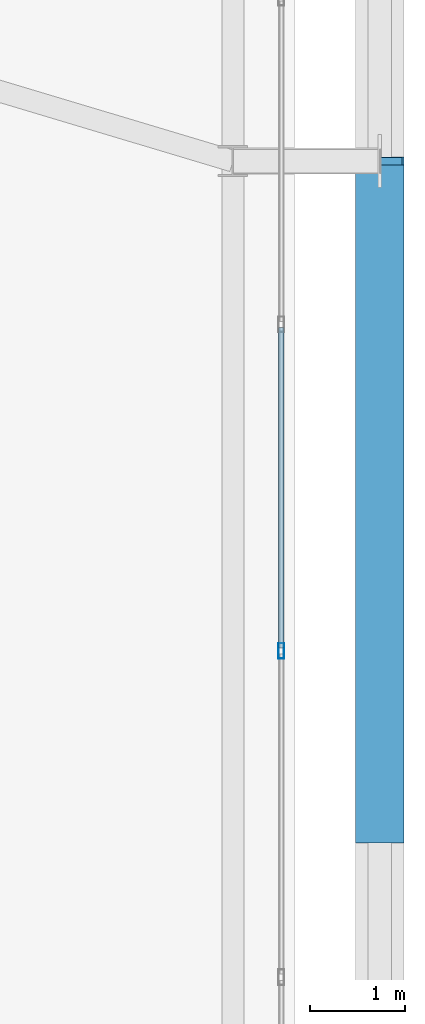
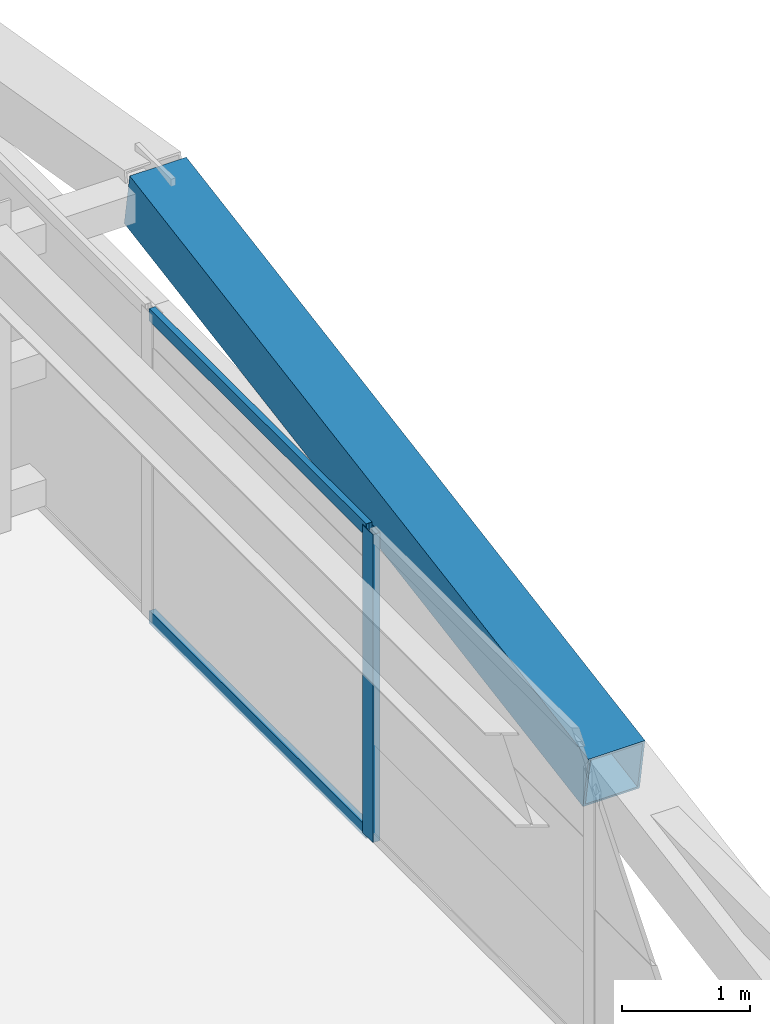
# One storey, part 28 of 58: 4 members, 1 element without a shape of its own.
"""IFC4 building model written with IfcOpenShell, lengths in metres."""

import ifcopenshell
import ifcopenshell.guid

model = None  # the IFC model being written
_history = None  # IfcOwnerHistory: only IFC2X3 demands one
_inside = {}  # id of a spatial element -> (the spatial element, [elements in it])
_under = {}  # id of a project, library or spatial element -> (it, [spatial elements below it])
_declared = {}  # id of a project -> (the project, [libraries it declares])
_typed = {}  # id of a type object -> (the type object, [elements of that type])
_made_of = {}  # id of a material, layer set ... -> (it, [elements and type objects made of it])


def new_model(schema):
    """Start an empty IFC model of exactly this schema.

    Asked for "IFC4X3", IfcOpenShell would pick the latest addendum, in which some entities
    have other attributes; the version numbers below select the first issue.
    IFC2X3 requires an IfcOwnerHistory on every rooted entity: one is made here for all.
    """
    global model, _history
    if schema == "IFC4X3":
        model = ifcopenshell.file(schema_version=(4, 3, 0, 0))
    else:
        model = ifcopenshell.file(schema=schema)
    _inside.clear()
    _under.clear()
    _declared.clear()
    _typed.clear()
    _made_of.clear()
    _history = None
    if model.schema == "IFC2X3":
        org = make("IfcOrganization", Name="unknown")
        user = make(
            "IfcPersonAndOrganization",
            ThePerson=make("IfcPerson", FamilyName="unknown"),
            TheOrganization=org,
        )
        app = make(
            "IfcApplication",
            ApplicationDeveloper=org,
            Version="unknown",
            ApplicationFullName="unknown",
            ApplicationIdentifier="unknown",
        )
        _history = make(
            "IfcOwnerHistory",
            OwningUser=user,
            OwningApplication=app,
            ChangeAction="ADDED",
            CreationDate=0,
        )
    return model


def make(cls, **values):
    """One entity of the class cls with the attributes given. An attribute that is None is left unset."""
    return model.create_entity(
        cls, **{name: value for name, value in values.items() if value is not None}
    )


def rooted(cls, **values):
    """An entity with a GlobalId (a new one), such as an element, a storey or a relation."""
    return make(cls, GlobalId=ifcopenshell.guid.new(), OwnerHistory=_history, **values)


def si_unit(unit_type, name, prefix=None):
    """IfcSIUnit, for example si_unit("LENGTHUNIT", "METRE", prefix="MILLI")."""
    return make("IfcSIUnit", UnitType=unit_type, Prefix=prefix, Name=name)


def assignment(units):
    """IfcUnitAssignment: the units of a project."""
    return None if units is None else make("IfcUnitAssignment", Units=units)


def point(xyz):
    """IfcCartesianPoint."""
    return None if xyz is None else make("IfcCartesianPoint", Coordinates=xyz)


def direction(xyz):
    """IfcDirection."""
    return None if xyz is None else make("IfcDirection", DirectionRatios=xyz)


def frame(location, z_axis=None, x_axis=None):
    """IfcAxis2Placement3D, a coordinate frame: its origin and axes. An axis left out is left unset."""
    return make(
        "IfcAxis2Placement3D",
        Location=point(location),
        Axis=direction(z_axis),
        RefDirection=direction(x_axis),
    )


def frame_2d(location, x_axis=None):
    """IfcAxis2Placement2D, a coordinate frame in the plane: its origin and x axis."""
    return make(
        "IfcAxis2Placement2D", Location=point(location), RefDirection=direction(x_axis)
    )


def origin():
    """The frame at (0, 0, 0) with its axes left unset."""
    return frame((0.0, 0.0, 0.0))


def origin_2d():
    """The frame at (0, 0) in the plane with its x axis left unset."""
    return frame_2d((0.0, 0.0))


def place(relative_to, where):
    """IfcLocalPlacement: puts the frame where relative to a parent placement (None: the world)."""
    return make(
        "IfcLocalPlacement", PlacementRelTo=relative_to, RelativePlacement=where
    )


def context(
    kind, dimensions, precision=None, world=None, true_north=None, identifier=None
):
    """IfcGeometricRepresentationContext, for example the 3D "Model" context."""
    return make(
        "IfcGeometricRepresentationContext",
        ContextIdentifier=identifier,
        ContextType=kind,
        CoordinateSpaceDimension=dimensions,
        Precision=precision,
        WorldCoordinateSystem=world,
        TrueNorth=true_north,
    )


def subcontext(parent, identifier, kind, view, scale=None):
    """IfcGeometricRepresentationSubContext, for example "Body" below "Model"."""
    return make(
        "IfcGeometricRepresentationSubContext",
        ContextIdentifier=identifier,
        ContextType=kind,
        ParentContext=parent,
        TargetScale=scale,
        TargetView=view,
    )


def project(units=None, contexts=None):
    """IfcProject with its units and contexts."""
    return rooted(
        "IfcProject",
        Name="project",
        RepresentationContexts=contexts,
        UnitsInContext=assignment(units),
    )


def spatial(cls, under=None, at=None, **own):
    """A site, building, storey or space (cls), placed at a placement, below another one or the project."""
    s = rooted(cls, ObjectPlacement=at, **own)
    if under is not None:
        _under.setdefault(under.id(), (under, []))[1].append(s)
    return s


def profile(cls, at=None, kind="AREA", **sizes):
    """A parametric profile (cls). Its sizes go by their IFC names, for example OverallWidth=200.0."""
    return make(cls, ProfileType=kind, Position=at, **sizes)


def hollow_rectangle(**sizes):
    """IfcRectangleHollowProfileDef."""
    return profile("IfcRectangleHollowProfileDef", **sizes)


def extrude(swept, where, along, depth):
    """IfcExtrudedAreaSolid: the profile swept, set in the frame where, extruded along a direction by depth."""
    return make(
        "IfcExtrudedAreaSolid",
        SweptArea=swept,
        Position=where,
        ExtrudedDirection=direction(along),
        Depth=depth,
    )


def shape(context_of_items, identifier, shape_type, items):
    """IfcShapeRepresentation: the items that make up one representation, for example the "Body"."""
    return make(
        "IfcShapeRepresentation",
        ContextOfItems=context_of_items,
        RepresentationIdentifier=identifier,
        RepresentationType=shape_type,
        Items=items,
    )


def source(mapping_origin, context_of_items, identifier, shape_type, items):
    """IfcRepresentationMap: a shape defined once, which mapped items show again and again."""
    return make(
        "IfcRepresentationMap",
        MappingOrigin=mapping_origin,
        MappedRepresentation=shape(context_of_items, identifier, shape_type, items),
    )


def transform(
    local_origin,
    x_axis=None,
    y_axis=None,
    z_axis=None,
    scale=None,
    scale2=None,
    scale3=None,
    uniform=True,
):
    """IfcCartesianTransformationOperator3D, or its non-uniform kind. x_axis, y_axis, z_axis: its Axis1, 2, 3."""
    if uniform:
        return make(
            "IfcCartesianTransformationOperator3D",
            Axis1=direction(x_axis),
            Axis2=direction(y_axis),
            LocalOrigin=point(local_origin),
            Scale=scale,
            Axis3=direction(z_axis),
        )
    return make(
        "IfcCartesianTransformationOperator3DnonUniform",
        Axis1=direction(x_axis),
        Axis2=direction(y_axis),
        LocalOrigin=point(local_origin),
        Scale=scale,
        Axis3=direction(z_axis),
        Scale2=scale2,
        Scale3=scale3,
    )


def mapped(mapping_source, mapping_target):
    """IfcMappedItem: shows the shape of a source again, moved by a transform."""
    return make(
        "IfcMappedItem", MappingSource=mapping_source, MappingTarget=mapping_target
    )


def material(Name=None, Category=None):
    """IfcMaterial."""
    return make("IfcMaterial", Name=Name, Category=Category)


def layer(
    of_material, thickness, ventilated=None, Name=None, Category=None, Priority=None
):
    """IfcMaterialLayer: one layer of a wall or slab, of a material (None: an air gap)."""
    return make(
        "IfcMaterialLayer",
        Material=of_material,
        LayerThickness=thickness,
        IsVentilated=ventilated,
        Name=Name,
        Category=Category,
        Priority=Priority,
    )


def layer_set(layers, Name=None):
    """IfcMaterialLayerSet."""
    return make("IfcMaterialLayerSet", MaterialLayers=layers, LayerSetName=Name)


def material_profile(
    of_material, cross_section, Name=None, Category=None, Priority=None
):
    """IfcMaterialProfile: a cross section and its material."""
    return make(
        "IfcMaterialProfile",
        Name=Name,
        Material=of_material,
        Profile=cross_section,
        Priority=Priority,
        Category=Category,
    )


def profile_set(profiles, Name=None, composite=None):
    """IfcMaterialProfileSet."""
    return make(
        "IfcMaterialProfileSet",
        Name=Name,
        MaterialProfiles=profiles,
        CompositeProfile=composite,
    )


def made_of(thing, what):
    """Note that an element or type object is made of a material, layer set ...; save() writes the relation."""
    if what is not None:
        _made_of.setdefault(what.id(), (what, []))[1].append(thing)
    return thing


def type_object(cls, material=None, **own):
    """A type object (cls), such as IfcWallType, which elements share."""
    return made_of(rooted(cls, **own), material)


def element(
    cls,
    number,
    at=None,
    inside=None,
    cuts=None,
    type_object=None,
    material=None,
    context=None,
    identifier="Body",
    shape_type=None,
    held_by="IfcProductDefinitionShape",
    body=None,
    shapes=None,
    **own,
):
    """One element of the class cls, such as IfcWall. Its Tag is "e" and its number.

    at: its placement. inside: the storey or other place that contains it. cuts: it is an
    opening in that element (IfcRelVoidsElement). A single representation is given by context,
    identifier, shape_type and body (its items); several are given by shapes. held_by: the class
    of the entity that holds the representations. save() writes the other relations.
    """
    e = rooted(cls, Tag="e%d" % number, ObjectPlacement=at, **own)
    if body is not None:
        shapes = [shape(context, identifier, shape_type, body)]
    if shapes is not None:
        e.Representation = make(held_by, Representations=shapes)
    if inside is not None:
        _inside.setdefault(inside.id(), (inside, []))[1].append(e)
    if cuts is not None:
        rooted(
            "IfcRelVoidsElement", RelatingBuildingElement=cuts, RelatedOpeningElement=e
        )
    if type_object is not None:
        _typed.setdefault(type_object.id(), (type_object, []))[1].append(e)
    return made_of(e, material)


def aggregate(whole, parts):
    """IfcRelAggregates: a whole, such as a stair, and the parts it consists of."""
    return rooted("IfcRelAggregates", RelatingObject=whole, RelatedObjects=parts)


def save(model, path):
    """Write the relations noted so far, then the file.

    IfcRelAggregates (storeys below a building ...), IfcRelContainedInSpatialStructure (elements
    in a storey), IfcRelDefinesByType, IfcRelAssociatesMaterial and IfcRelDeclares: one each for
    every whole, place, type object, material and project.
    """
    for whole, parts in _under.values():
        aggregate(whole, parts)
    for where, things in _inside.values():
        rooted(
            "IfcRelContainedInSpatialStructure",
            RelatedElements=things,
            RelatingStructure=where,
        )
    for kind, things in _typed.values():
        rooted("IfcRelDefinesByType", RelatedObjects=things, RelatingType=kind)
    for what, things in _made_of.values():
        rooted("IfcRelAssociatesMaterial", RelatedObjects=things, RelatingMaterial=what)
    for by, libraries in _declared.values():
        rooted("IfcRelDeclares", RelatingContext=by, RelatedDefinitions=libraries)
    model.write(path)


model = new_model("IFC4")

# Units and contexts
model_context = context("Model", 3, precision=1e-05, world=origin(), true_north=direction((0.0, 1.0)))
body_context = subcontext(model_context, "Body", "Model", "MODEL_VIEW")
ifc_project = project(units=[si_unit("LENGTHUNIT", "METRE"), si_unit("AREAUNIT", "SQUARE_METRE"), si_unit("VOLUMEUNIT", "CUBIC_METRE"), si_unit("PLANEANGLEUNIT", "RADIAN"), si_unit("MASSUNIT", "GRAM", prefix="KILO")], contexts=[model_context])

# Site, building, storey
site_placement = place(None, origin())
site = spatial("IfcSite", under=ifc_project, at=site_placement, CompositionType="ELEMENT")
building_placement = place(site_placement, origin())
building = spatial("IfcBuilding", under=site, at=building_placement, Name="Taldren Reach Tower", CompositionType="ELEMENT")
storey_placement = place(building_placement, frame((0.0, 0.0, 35.699951171875)))
storey = spatial("IfcBuildingStorey", under=building, at=storey_placement, Name="L10", CompositionType="ELEMENT", Elevation=35.699951171875)

# Member
ifc_material_1 = material(Name="Steel Gr 450 (C450L0)", Category="steel")
ifc_material_profile_1 = material_profile(ifc_material_1, hollow_rectangle(XDim=0.510009765625, YDim=0.510009765625, WallThickness=0.02001953125, at=origin_2d()), Name="510x510x20.0SHS")
ifc_profile_set_1 = profile_set([ifc_material_profile_1], Name="Steel Gr 450 (C450L0)")
member_type_1 = type_object("IfcMemberType", Name="MB-EXO508", PredefinedType="BRACE", material=ifc_profile_set_1)
shared_shape_1 = source(origin(), body_context, "Body", "SweptSolid", [
    extrude(hollow_rectangle(XDim=0.510009765625, YDim=0.510009765625, WallThickness=0.02001953125, at=origin_2d()), origin(), (0.0, 0.0, 1.0), 7.25244140625),
])
member_1_placement = place(storey_placement, frame((65.89990234375, 12.85009765625, 1.43505859375), z_axis=(0.0, 0.985864855729, 0.167542490848), x_axis=(-1.0, 0.0, 0.0)))
element("IfcMember", 1, at=member_1_placement, inside=storey, type_object=member_type_1, Name="Exoskeleton Diagrid Brace B1-E1 L10", PredefinedType="BRACE", context=body_context, shape_type="MappedRepresentation", body=[
    mapped(shared_shape_1, transform((0.0, 0.0, 0.0), scale=1.0)),
])

# Curtain wall, members
ifc_material_2 = material(Name="Aluminium and Low-E Glass Unitised System", Category="aluminium")
ifc_layer = layer(ifc_material_2, 0.159912109375)
ifc_layer_set = layer_set([ifc_layer], Name="Aluminium and Low-E Glass Unitised System")
curtain_wall_type = type_object("IfcCurtainWallType", Name="CW-SYS-2", PredefinedType="NOTDEFINED", material=ifc_layer_set)
curtain_wall_placement = place(storey_placement, origin())
curtain_wall = element("IfcCurtainWall", 2, at=curtain_wall_placement, inside=storey, type_object=curtain_wall_type, Name="Unitised curtain wall CW-L10-E", PredefinedType="NOTDEFINED")
ifc_material_3 = material(Name="Anodised Aluminium 6063-T6", Category="aluminium")
ifc_material_profile_2 = material_profile(ifc_material_3, hollow_rectangle(XDim=0.06494140625, YDim=0.1650390625, WallThickness=0.00390625, at=origin_2d()), Name="ALU-165x65x4RHS")
ifc_profile_set_2 = profile_set([ifc_material_profile_2], Name="Anodised Aluminium 6063-T6")
member_type_2 = type_object("IfcMemberType", Name="CW-MUL-165", PredefinedType="MULLION", material=ifc_profile_set_2)
shared_shape_2 = source(origin(), body_context, "Body", "SweptSolid", [
    extrude(hollow_rectangle(XDim=0.06494140625, YDim=0.1650390625, WallThickness=0.00390625, at=origin_2d()), origin(), (0.0, 0.0, 1.0), 2.929931640625),
])
member_2_placement = place(storey_placement, frame((64.860107421875, 14.833251953125, 0.0), z_axis=(0.0, 0.0, 1.0), x_axis=(-1.0, 0.0, 0.0)))
member_2 = element("IfcMember", 3, at=member_2_placement, type_object=member_type_2, Name="CW-2 mullion 4", PredefinedType="MULLION", context=body_context, shape_type="MappedRepresentation", body=[
    mapped(shared_shape_2, transform((0.0, 0.0, 0.0), scale=1.0)),
])
ifc_material_profile_3 = material_profile(ifc_material_3, hollow_rectangle(XDim=0.054931640625, YDim=0.1201171875, WallThickness=0.0029296875, at=origin_2d()), Name="ALU-120x55x3RHS")
ifc_profile_set_3 = profile_set([ifc_material_profile_3], Name="Anodised Aluminium 6063-T6")
member_type_3 = type_object("IfcMemberType", Name="CW-TRN-135", PredefinedType="USERDEFINED", material=ifc_profile_set_3)
shared_shape_3 = source(origin(), body_context, "Body", "SweptSolid", [
    extrude(hollow_rectangle(XDim=0.054931640625, YDim=0.1201171875, WallThickness=0.0029296875, at=origin_2d()), origin(), (0.0, 0.0, 1.0), 3.379638671875),
])
member_3_placement = place(storey_placement, frame((64.860107421875, 14.86572265625, 0.027587890625), z_axis=(0.0, 1.0, 0.0), x_axis=(-1.0, 0.0, 0.0)))
member_3 = element("IfcMember", 4, at=member_3_placement, type_object=member_type_3, Name="CW-2 transom 4.1", ObjectType="TRANSOM", PredefinedType="USERDEFINED", context=body_context, shape_type="MappedRepresentation", body=[
    mapped(shared_shape_3, transform((0.0, 0.0, 0.0), scale=1.0)),
])
member_4_placement = place(storey_placement, frame((64.860107421875, 14.86572265625, 2.902587890625), z_axis=(0.0, 1.0, 0.0), x_axis=(-1.0, 0.0, 0.0)))
member_4 = element("IfcMember", 5, at=member_4_placement, type_object=member_type_3, Name="CW-2 transom 4.2", ObjectType="TRANSOM", PredefinedType="USERDEFINED", context=body_context, shape_type="MappedRepresentation", body=[
    mapped(shared_shape_3, transform((0.0, 0.0, 0.0), scale=1.0)),
])
aggregate(curtain_wall, [member_2, member_3, member_4])

save(model, "model.ifc")
